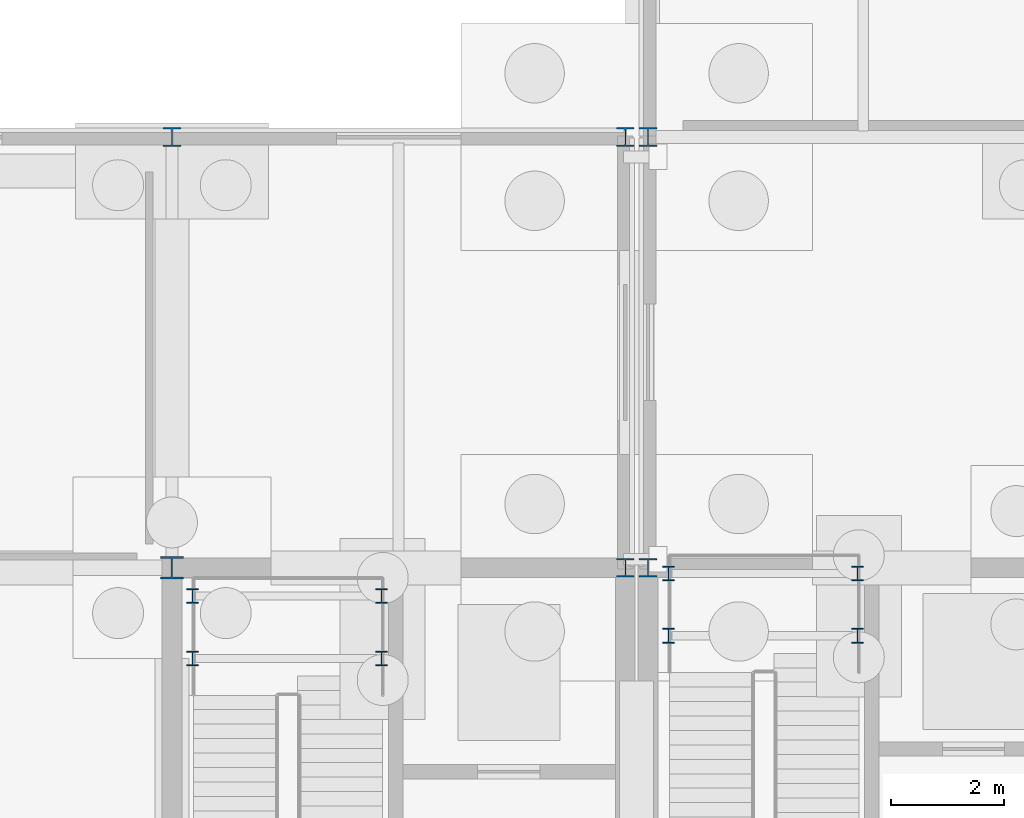
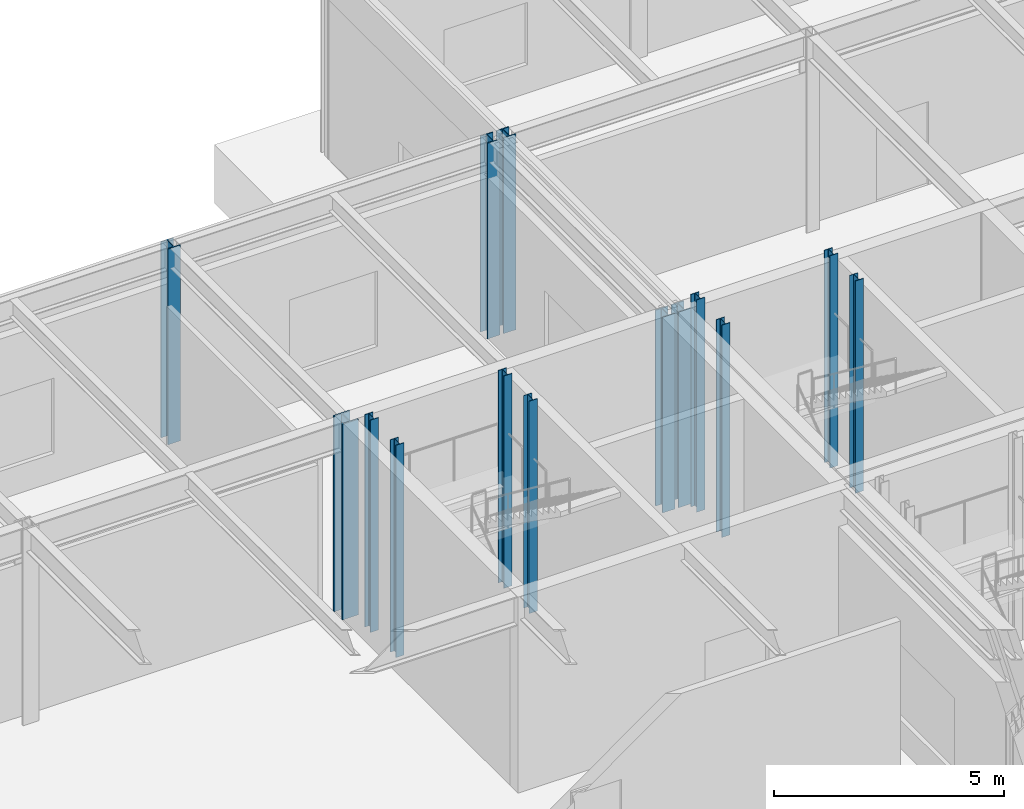
# One storey, part 20 of 62: 14 columns.
"""IFC4 building model written with IfcOpenShell, lengths in metres."""

from ifc_helpers import new_model, si_unit, direction, frame, origin, origin_2d, place, context, subcontext, project, spatial, i_section, extrude, material, material_profile, profile_set, type_object, element, save


model = new_model("IFC4")

# Units and contexts
model_context = context("Model", 3, precision=1e-05, world=origin(), true_north=direction((0.0, 1.0)))
body_context = subcontext(model_context, "Body", "Model", "MODEL_VIEW")
ifc_project = project(units=[si_unit("LENGTHUNIT", "METRE"), si_unit("AREAUNIT", "SQUARE_METRE"), si_unit("VOLUMEUNIT", "CUBIC_METRE"), si_unit("PLANEANGLEUNIT", "RADIAN"), si_unit("MASSUNIT", "GRAM", prefix="KILO")], contexts=[model_context])

# Site, building, storey
site_placement = place(None, origin())
site = spatial("IfcSite", under=ifc_project, at=site_placement, CompositionType="ELEMENT")
building_placement = place(site_placement, origin())
building = spatial("IfcBuilding", under=site, at=building_placement, Name="Zulena Civic Courthouse", CompositionType="ELEMENT")
storey_placement = place(building_placement, origin())
storey = spatial("IfcBuildingStorey", under=building, at=storey_placement, Name="L00", CompositionType="ELEMENT", Elevation=0.0)

# Columns
ifc_material = material(Name="Steel ASTM A992 Grade 50", Category="steel")
ifc_material_profile_1 = material_profile(ifc_material, i_section(OverallWidth=0.2041015625, OverallDepth=0.257080078125, WebThickness=0.0087890625, FlangeThickness=0.015625, FilletRadius=0.0126953125, at=origin_2d()), Name="W10X45")
ifc_profile_set_1 = profile_set([ifc_material_profile_1], Name="Steel ASTM A992 Grade 50")
column_type_1 = type_object("IfcColumnType", Name="Col_W10X45", PredefinedType="COLUMN", material=ifc_profile_set_1)
for number, where, z_axis, x_axis, name in (
    (1, (124.760009765625, 36.800048828125, -0.22998046875), (0.0, 0.0, 1.0), (1.0, 0.0, 0.0), "col:lnd:K3A:L00:0:0"),
    (2, (128.10009765625, 36.800048828125, -0.22998046875), (0.0, 0.0, 1.0), (1.0, 0.0, 0.0), "col:lnd:K3A:L00:0:1"),
    (3, (124.760009765625, 37.89990234375, -0.22998046875), (0.0, 0.0, 1.0), (1.0, 0.0, 0.0), "col:lnd:K3A:L00:1:0"),
    (4, (128.10009765625, 37.89990234375, -0.22998046875), (0.0, 0.0, 1.0), (1.0, 0.0, 0.0), "col:lnd:K3A:L00:1:1"),
    (5, (116.360107421875, 36.39990234375, -0.22998046875), (0.0, 0.0, 1.0), (1.0, 0.0, 0.0), "col:lnd:K4B:L00:0:0"),
    (6, (119.699951171875, 36.39990234375, -0.22998046875), (0.0, 0.0, 1.0), (1.0, 0.0, 0.0), "col:lnd:K4B:L00:0:1"),
    (7, (116.360107421875, 37.5, -0.22998046875), (0.0, 0.0, 1.0), (1.0, 0.0, 0.0), "col:lnd:K4B:L00:1:0"),
    (8, (119.699951171875, 37.5, -0.22998046875), (0.0, 0.0, 1.0), (1.0, 0.0, 0.0), "col:lnd:K4B:L00:1:1"),
):
    element("IfcColumn", number, at=place(storey_placement, frame(where, z_axis=z_axis, x_axis=x_axis)), inside=storey, type_object=column_type_1, Name=name, PredefinedType="COLUMN", context=body_context, shape_type="SweptSolid", body=[
        extrude(i_section(OverallWidth=0.2041015625, OverallDepth=0.257080078125, WebThickness=0.0087890625, FlangeThickness=0.015625, FilletRadius=0.0126953125, at=origin_2d()), origin(), (0.0, 0.0, 1.0), 5.625),
    ])
ifc_material_profile_2 = material_profile(ifc_material, i_section(OverallWidth=0.31298828125, OverallDepth=0.3330078125, WebThickness=0.01806640625, FlangeThickness=0.0283203125, FilletRadius=0.01513671875, at=origin_2d()), Name="W12X120")
ifc_profile_set_2 = profile_set([ifc_material_profile_2], Name="Steel ASTM A992 Grade 50")
column_type_2 = type_object("IfcColumnType", Name="Col_W12X120", PredefinedType="COLUMN", material=ifc_profile_set_2)
for number, where, z_axis, x_axis, name in (
    (9, (124.39990234375, 38.0, 0.0), (0.0, 0.0, 1.0), (1.0, 0.0, 0.0), "col:V3:L00:124.4:38.0"),
    (10, (124.39990234375, 45.60009765625, 0.0), (0.0, 0.0, 1.0), (1.0, 0.0, 0.0), "col:V3:L00:124.4:45.6"),
    (11, (116.0, 45.60009765625, 0.0), (0.0, 0.0, 1.0), (1.0, 0.0, 0.0), "col:V4:L00:116.0:45.6"),
    (12, (124.0, 38.0, 0.0), (0.0, 0.0, 1.0), (1.0, 0.0, 0.0), "col:V4:L00:124.0:38.0"),
    (13, (124.0, 45.60009765625, 0.0), (0.0, 0.0, 1.0), (1.0, 0.0, 0.0), "col:V4:L00:124.0:45.6"),
):
    element("IfcColumn", number, at=place(storey_placement, frame(where, z_axis=z_axis, x_axis=x_axis)), inside=storey, type_object=column_type_2, Name=name, PredefinedType="COLUMN", context=body_context, shape_type="SweptSolid", body=[
        extrude(i_section(OverallWidth=0.31298828125, OverallDepth=0.3330078125, WebThickness=0.01806640625, FlangeThickness=0.0283203125, FilletRadius=0.01513671875, at=origin_2d()), origin(), (0.0, 0.0, 1.0), 5.18505859375),
    ])
ifc_material_profile_3 = material_profile(ifc_material, i_section(OverallWidth=0.40087890625, OverallDepth=0.39892578125, WebThickness=0.02490234375, FlangeThickness=0.03955078125, FilletRadius=0.01513671875, at=origin_2d()), Name="W14X211")
ifc_profile_set_3 = profile_set([ifc_material_profile_3], Name="Steel ASTM A992 Grade 50")
column_type_3 = type_object("IfcColumnType", Name="Col_W14X211", PredefinedType="COLUMN", material=ifc_profile_set_3)
column_placement = place(storey_placement, frame((116.0, 38.0, 0.0), z_axis=(0.0, 0.0, 1.0), x_axis=(1.0, 0.0, 0.0)))
element("IfcColumn", 14, at=column_placement, inside=storey, type_object=column_type_3, Name="col:V4:L00:116.0:38.0", PredefinedType="COLUMN", context=body_context, shape_type="SweptSolid", body=[
    extrude(i_section(OverallWidth=0.40087890625, OverallDepth=0.39892578125, WebThickness=0.02490234375, FlangeThickness=0.03955078125, FilletRadius=0.01513671875, at=origin_2d()), origin(), (0.0, 0.0, 1.0), 5.18505859375),
])

save(model, "model.ifc")
